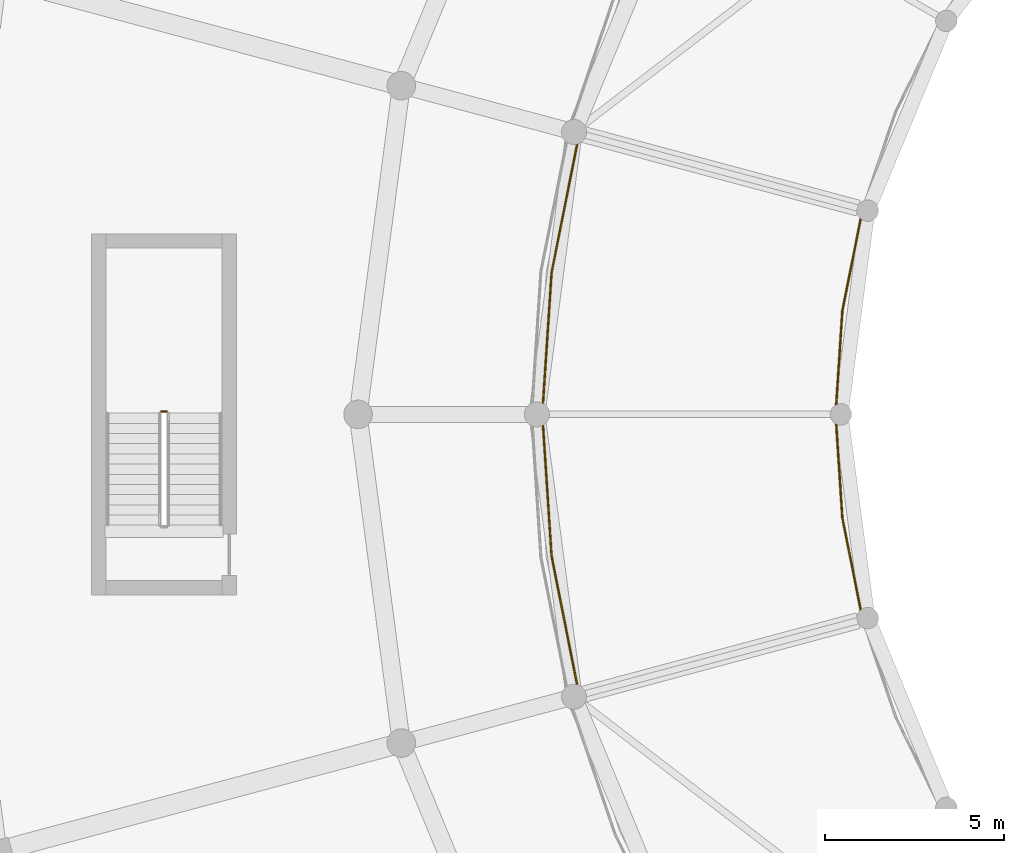
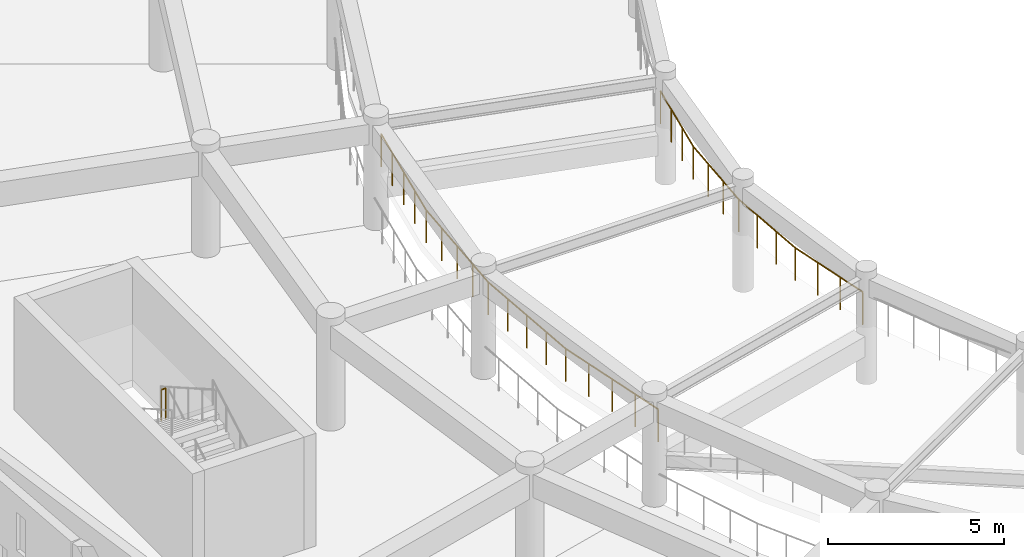
# One storey, part 80 of 98: 3 railings.
"""IFC4 building model written with IfcOpenShell, lengths in metres."""

from ifc_helpers import new_model, si_unit, direction, frame, origin, origin_2d, place, context, subcontext, project, spatial, circle, extrude, material, type_object, element, save


model = new_model("IFC4")

# Units and contexts
model_context = context("Model", 3, precision=1e-05, world=origin(), true_north=direction((0.0, 1.0)))
body_context = subcontext(model_context, "Body", "Model", "MODEL_VIEW")
ifc_project = project(units=[si_unit("LENGTHUNIT", "METRE"), si_unit("AREAUNIT", "SQUARE_METRE"), si_unit("VOLUMEUNIT", "CUBIC_METRE"), si_unit("PLANEANGLEUNIT", "RADIAN"), si_unit("MASSUNIT", "GRAM", prefix="KILO")], contexts=[model_context])

# Site, building, storey
site_placement = place(None, origin())
site = spatial("IfcSite", under=ifc_project, at=site_placement, CompositionType="ELEMENT")
building_placement = place(site_placement, origin())
building = spatial("IfcBuilding", under=site, at=building_placement, Name="Larkveld Mobility Hub", CompositionType="ELEMENT")
storey_placement = place(building_placement, frame((0.0, 0.0, 4.5)))
storey = spatial("IfcBuildingStorey", under=building, at=storey_placement, Name="L01", CompositionType="ELEMENT", Elevation=4.5)

# Railings
ifc_material_1 = material(Name="Galvanized Steel S355JR balustrade", Category="steel")
railing_type_1 = type_object("IfcRailingType", Name="RL-GRD-1100", PredefinedType="GUARDRAIL", material=ifc_material_1)
railing_1_placement = place(storey_placement, frame((7.14990234375, 48.0849609375, 1.949951171875)))
element("IfcRailing", 1, at=railing_1_placement, inside=storey, type_object=railing_type_1, Name="L01 ST7 stair guard 2", PredefinedType="GUARDRAIL", context=body_context, shape_type="SweptSolid", body=[
    extrude(circle(Radius=0.02392578125, at=origin_2d()), frame((0.0, 0.0, 1.076171875), z_axis=(-1.0, 0.0, 0.0), x_axis=(0.0, -1.0, 0.0)), (0.0, 0.0, 1.0), 0.14990234375),
    extrude(circle(Radius=0.02099609375, at=origin_2d()), origin(), (0.0, 0.0, 1.0), 1.052001953125),
    extrude(circle(Radius=0.02099609375, at=origin_2d()), frame((-0.14990234375, 0.0, 0.0)), (0.0, 0.0, 1.0), 1.052001953125),
])
ifc_material_2 = material(Name="Galvanized Steel S355JR vehicle-deck guard", Category="steel")
railing_type_2 = type_object("IfcRailingType", Name="RL-GRD-RMP", PredefinedType="GUARDRAIL", material=ifc_material_2)
railing_2_placement = place(storey_placement, frame((26.60498046875, 53.73291015625, 1.949951171875)))
element("IfcRailing", 2, at=railing_2_placement, inside=storey, type_object=railing_type_2, Name="Helical Mid-Landing Inner Guard L01-008", PredefinedType="GUARDRAIL", context=body_context, shape_type="SweptSolid", body=[
    extrude(circle(Radius=0.02392578125, at=origin_2d()), frame((0.0, 0.0, 1.1259765625), z_axis=(-0.195305912265, -0.980742372203, 0.0), x_axis=(0.980742372203, -0.195305912265, 0.0)), (0.0, 0.0, 1.0), 2.897705078125),
    extrude(circle(Radius=0.02392578125, at=origin_2d()), frame((-0.56591796875, -2.841796875, 1.1259765625), z_axis=(-0.065221416326, -0.997870816715, 0.0), x_axis=(0.997870816715, -0.065221416326, 0.0)), (0.0, 0.0, 1.0), 2.897216796875),
    extrude(circle(Radius=0.02392578125, at=origin_2d()), frame((-0.7548828125, -5.73291015625, 1.1259765625), z_axis=(0.065221416326, -0.997870816715, 0.0), x_axis=(0.997870816715, 0.065221416326, 0.0)), (0.0, 0.0, 1.0), 2.897216796875),
    extrude(circle(Radius=0.02392578125, at=origin_2d()), frame((-0.56591796875, -8.6240234375, 1.1259765625), z_axis=(0.195305912265, -0.980742372203, 0.0), x_axis=(0.980742372203, 0.195305912265, 0.0)), (0.0, 0.0, 1.0), 2.897705078125),
    extrude(circle(Radius=0.02099609375, at=origin_2d()), origin(), (0.0, 0.0, 1.0), 1.101806640625),
    extrude(circle(Radius=0.02099609375, at=origin_2d()), frame((-0.188720703125, -0.947265625, 0.0)), (0.0, 0.0, 1.0), 1.101806640625),
    extrude(circle(Radius=0.02099609375, at=origin_2d()), frame((-0.377197265625, -1.89453125, 0.0)), (0.0, 0.0, 1.0), 1.101806640625),
    extrude(circle(Radius=0.02099609375, at=origin_2d()), frame((-0.56591796875, -2.841796875, 0.0)), (0.0, 0.0, 1.0), 1.101806640625),
    extrude(circle(Radius=0.02099609375, at=origin_2d()), frame((-0.62890625, -3.805419921875, 0.0)), (0.0, 0.0, 1.0), 1.101806640625),
    extrude(circle(Radius=0.02099609375, at=origin_2d()), frame((-0.69189453125, -4.769287109375, 0.0)), (0.0, 0.0, 1.0), 1.101806640625),
    extrude(circle(Radius=0.02099609375, at=origin_2d()), frame((-0.7548828125, -5.73291015625, 0.0)), (0.0, 0.0, 1.0), 1.101806640625),
    extrude(circle(Radius=0.02099609375, at=origin_2d()), frame((-0.69189453125, -6.696533203125, 0.0)), (0.0, 0.0, 1.0), 1.101806640625),
    extrude(circle(Radius=0.02099609375, at=origin_2d()), frame((-0.62890625, -7.660400390625, 0.0)), (0.0, 0.0, 1.0), 1.101806640625),
    extrude(circle(Radius=0.02099609375, at=origin_2d()), frame((-0.56591796875, -8.6240234375, 0.0)), (0.0, 0.0, 1.0), 1.101806640625),
    extrude(circle(Radius=0.02099609375, at=origin_2d()), frame((-0.377197265625, -9.5712890625, 0.0)), (0.0, 0.0, 1.0), 1.101806640625),
    extrude(circle(Radius=0.02099609375, at=origin_2d()), frame((-0.188720703125, -10.5185546875, 0.0)), (0.0, 0.0, 1.0), 1.101806640625),
    extrude(circle(Radius=0.02099609375, at=origin_2d()), frame((0.0, -11.4658203125, 0.0)), (0.0, 0.0, 1.0), 1.101806640625),
])
railing_3_placement = place(storey_placement, frame((18.68408203125, 55.85498046875, 1.949951171875)))
element("IfcRailing", 3, at=railing_3_placement, inside=storey, type_object=railing_type_2, Name="Helical Mid-Landing Outer Guard L01-009", PredefinedType="GUARDRAIL", context=body_context, shape_type="SweptSolid", body=[
    extrude(circle(Radius=0.02392578125, at=origin_2d()), frame((0.0, 0.0, 1.1259765625), z_axis=(-0.194992586513, -0.980804716141, 0.0), x_axis=(0.980804716141, -0.194992586513, 0.0)), (0.0, 0.0, 1.0), 3.97021484375),
    extrude(circle(Radius=0.02392578125, at=origin_2d()), frame((-0.774169921875, -3.89404296875, 1.1259765625), z_axis=(-0.065502515435, -0.997852404152, 0.0), x_axis=(0.997852404152, -0.065502515435, 0.0)), (0.0, 0.0, 1.0), 3.969482421875),
    extrude(circle(Radius=0.02392578125, at=origin_2d()), frame((-1.0341796875, -7.85498046875, 1.1259765625), z_axis=(0.065502515435, -0.997852404152, 0.0), x_axis=(0.997852404152, 0.065502515435, 0.0)), (0.0, 0.0, 1.0), 3.969482421875),
    extrude(circle(Radius=0.02392578125, at=origin_2d()), frame((-0.774169921875, -11.81591796875, 1.1259765625), z_axis=(0.194992586513, -0.980804716141, 0.0), x_axis=(0.980804716141, 0.194992586513, 0.0)), (0.0, 0.0, 1.0), 3.97021484375),
    extrude(circle(Radius=0.02099609375, at=origin_2d()), origin(), (0.0, 0.0, 1.0), 1.101806640625),
    extrude(circle(Radius=0.02099609375, at=origin_2d()), frame((-0.193603515625, -0.9736328125, 0.0)), (0.0, 0.0, 1.0), 1.101806640625),
    extrude(circle(Radius=0.02099609375, at=origin_2d()), frame((-0.38720703125, -1.947021484375, 0.0)), (0.0, 0.0, 1.0), 1.101806640625),
    extrude(circle(Radius=0.02099609375, at=origin_2d()), frame((-0.58056640625, -2.92041015625, 0.0)), (0.0, 0.0, 1.0), 1.101806640625),
    extrude(circle(Radius=0.02099609375, at=origin_2d()), frame((-0.774169921875, -3.89404296875, 0.0)), (0.0, 0.0, 1.0), 1.101806640625),
    extrude(circle(Radius=0.02099609375, at=origin_2d()), frame((-0.839111328125, -4.88427734375, 0.0)), (0.0, 0.0, 1.0), 1.101806640625),
    extrude(circle(Radius=0.02099609375, at=origin_2d()), frame((-0.904296875, -5.87451171875, 0.0)), (0.0, 0.0, 1.0), 1.101806640625),
    extrude(circle(Radius=0.02099609375, at=origin_2d()), frame((-0.96923828125, -6.86474609375, 0.0)), (0.0, 0.0, 1.0), 1.101806640625),
    extrude(circle(Radius=0.02099609375, at=origin_2d()), frame((-1.0341796875, -7.85498046875, 0.0)), (0.0, 0.0, 1.0), 1.101806640625),
    extrude(circle(Radius=0.02099609375, at=origin_2d()), frame((-0.96923828125, -8.84521484375, 0.0)), (0.0, 0.0, 1.0), 1.101806640625),
    extrude(circle(Radius=0.02099609375, at=origin_2d()), frame((-0.904296875, -9.83544921875, 0.0)), (0.0, 0.0, 1.0), 1.101806640625),
    extrude(circle(Radius=0.02099609375, at=origin_2d()), frame((-0.839111328125, -10.82568359375, 0.0)), (0.0, 0.0, 1.0), 1.101806640625),
    extrude(circle(Radius=0.02099609375, at=origin_2d()), frame((-0.774169921875, -11.81591796875, 0.0)), (0.0, 0.0, 1.0), 1.101806640625),
    extrude(circle(Radius=0.02099609375, at=origin_2d()), frame((-0.58056640625, -12.78955078125, 0.0)), (0.0, 0.0, 1.0), 1.101806640625),
    extrude(circle(Radius=0.02099609375, at=origin_2d()), frame((-0.38720703125, -13.762939453125, 0.0)), (0.0, 0.0, 1.0), 1.101806640625),
    extrude(circle(Radius=0.02099609375, at=origin_2d()), frame((-0.193603515625, -14.736328125, 0.0)), (0.0, 0.0, 1.0), 1.101806640625),
    extrude(circle(Radius=0.02099609375, at=origin_2d()), frame((0.0, -15.7099609375, 0.0)), (0.0, 0.0, 1.0), 1.101806640625),
])

save(model, "model.ifc")
